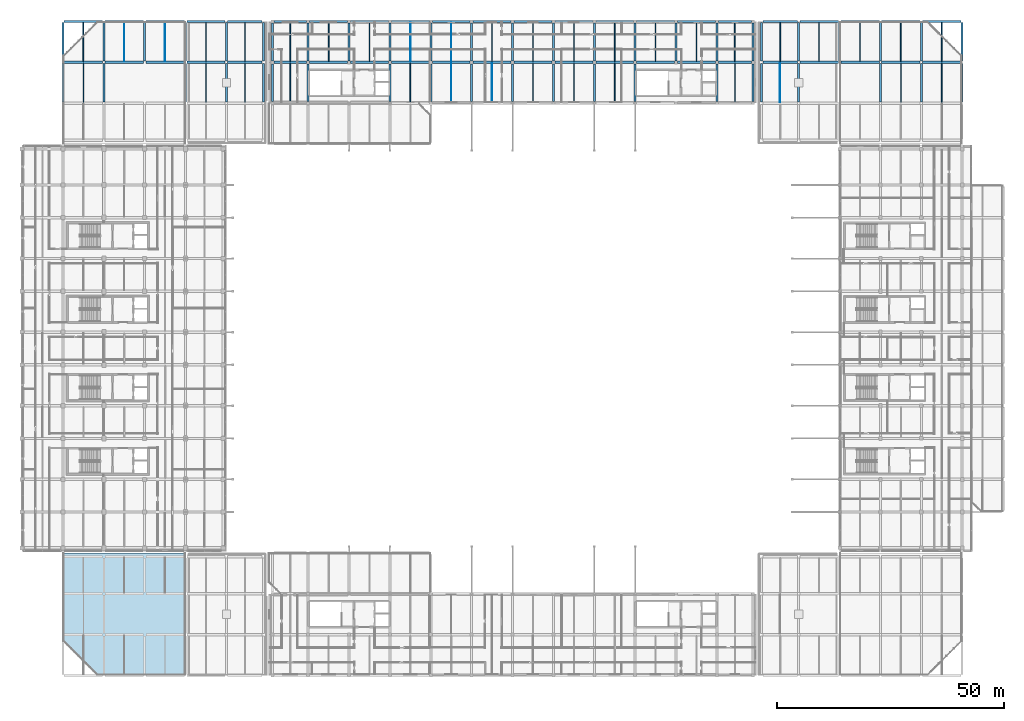
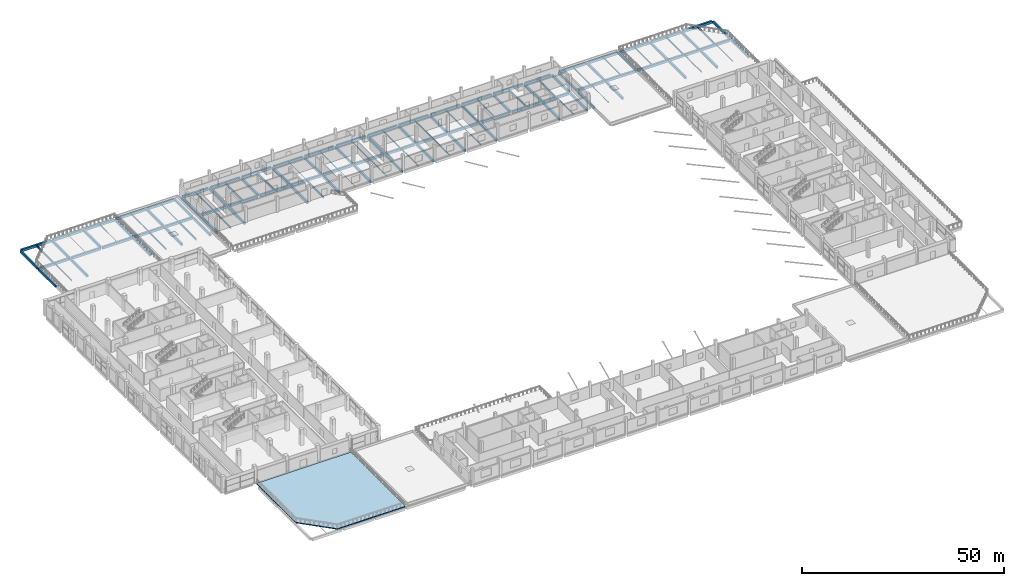
# One storey, part 35 of 82: 126 beams, 1 slab.
"""IFC4 building model written with IfcOpenShell, lengths in metres."""

from ifc_helpers import new_model, si_unit, direction, frame, origin, origin_2d, place, context, subcontext, project, spatial, polyline, rectangle, hollow_rectangle, i_section, outline, extrude, material, layer, layer_set, material_profile, profile_set, type_object, element, save


model = new_model("IFC4")

# Units and contexts
model_context = context("Model", 3, precision=1e-05, world=origin(), true_north=direction((0.0, 1.0)))
body_context = subcontext(model_context, "Body", "Model", "MODEL_VIEW")
ifc_project = project(units=[si_unit("LENGTHUNIT", "METRE"), si_unit("AREAUNIT", "SQUARE_METRE"), si_unit("VOLUMEUNIT", "CUBIC_METRE"), si_unit("PLANEANGLEUNIT", "RADIAN"), si_unit("MASSUNIT", "GRAM", prefix="KILO"), si_unit("THERMODYNAMICTEMPERATUREUNIT", "KELVIN"), si_unit("POWERUNIT", "WATT")], contexts=[model_context])

# Site, building, storey
site_placement = place(None, origin())
site = spatial("IfcSite", under=ifc_project, at=site_placement, CompositionType="ELEMENT")
building_placement = place(site_placement, origin())
building = spatial("IfcBuilding", under=site, at=building_placement, Name="Sindhuravela Promenade Stadium", CompositionType="ELEMENT")
storey_placement = place(building_placement, frame((0.0, 0.0, 14.39990234375)))
storey = spatial("IfcBuildingStorey", under=building, at=storey_placement, Name="L03", CompositionType="ELEMENT", Elevation=14.39990234375)

# Beams
ifc_material_1 = material(Name="Concrete M40", Category="concrete")
ifc_material_profile_1 = material_profile(ifc_material_1, rectangle(XDim=0.449951171875, YDim=0.699951171875, at=origin_2d()), Name="RC 450x700")
ifc_profile_set_1 = profile_set([ifc_material_profile_1], Name="Concrete M40")
beam_type_1 = type_object("IfcBeamType", Name="RC-BM-450x700", PredefinedType="BEAM", material=ifc_profile_set_1)
for number, where, z_axis, x_axis, name in (
    (1, (55.10009765625, 135.340087890625, -0.64990234375), (0.0, 1.0, 0.0), (-1.0, 0.0, 0.0), "Primary beam GB07 NORTH L03"),
    (2, (55.10009765625, 144.340087890625, -0.64990234375), (0.0, 1.0, 0.0), (-1.0, 0.0, 0.0), "Primary beam GB07 NORTH L03"),
    (3, (63.0, 135.340087890625, -0.64990234375), (0.0, 1.0, 0.0), (-1.0, 0.0, 0.0), "Primary beam GB07 NORTH L03"),
    (4, (63.0, 144.340087890625, -0.64990234375), (0.0, 1.0, 0.0), (-1.0, 0.0, 0.0), "Primary beam GB07 NORTH L03"),
    (5, (72.0, 144.340087890625, -0.64990234375), (0.0, 1.0, 0.0), (-1.0, 0.0, 0.0), "Primary beam GB07 NORTH L03"),
    (6, (81.0, 135.340087890625, -0.64990234375), (0.0, 1.0, 0.0), (-1.0, 0.0, 0.0), "Primary beam GB07 NORTH L03"),
    (7, (81.0, 144.340087890625, -0.64990234375), (0.0, 1.0, 0.0), (-1.0, 0.0, 0.0), "Primary beam GB07 NORTH L03"),
    (8, (90.0, 135.340087890625, -0.64990234375), (0.0, 1.0, 0.0), (-1.0, 0.0, 0.0), "Primary beam GB07 NORTH L03"),
    (9, (90.0, 144.340087890625, -0.64990234375), (0.0, 1.0, 0.0), (-1.0, 0.0, 0.0), "Primary beam GB07 NORTH L03"),
    (10, (99.0, 135.340087890625, -0.64990234375), (0.0, 1.0, 0.0), (-1.0, 0.0, 0.0), "Primary beam GB07 NORTH L03"),
    (11, (99.0, 144.340087890625, -0.64990234375), (0.0, 1.0, 0.0), (-1.0, 0.0, 0.0), "Primary beam GB07 NORTH L03"),
    (12, (108.0, 135.340087890625, -0.64990234375), (0.0, 1.0, 0.0), (-1.0, 0.0, 0.0), "Primary beam GB07 NORTH L03"),
    (13, (108.0, 144.340087890625, -0.64990234375), (0.0, 1.0, 0.0), (-1.0, 0.0, 0.0), "Primary beam GB07 NORTH L03"),
    (14, (117.0, 135.340087890625, -0.64990234375), (0.0, 1.0, 0.0), (-1.0, 0.0, 0.0), "Primary beam GB07 NORTH L03"),
    (15, (117.0, 144.340087890625, -0.64990234375), (0.0, 1.0, 0.0), (-1.0, 0.0, 0.0), "Primary beam GB07 NORTH L03"),
    (16, (126.0, 135.340087890625, -0.64990234375), (0.0, 1.0, 0.0), (-1.0, 0.0, 0.0), "Primary beam GB07 NORTH L03"),
    (17, (126.0, 144.340087890625, -0.64990234375), (0.0, 1.0, 0.0), (-1.0, 0.0, 0.0), "Primary beam GB07 NORTH L03"),
    (18, (135.0, 135.340087890625, -0.64990234375), (0.0, 1.0, 0.0), (-1.0, 0.0, 0.0), "Primary beam GB07 NORTH L03"),
    (19, (135.0, 144.340087890625, -0.64990234375), (0.0, 1.0, 0.0), (-1.0, 0.0, 0.0), "Primary beam GB07 NORTH L03"),
    (20, (144.0, 144.340087890625, -0.64990234375), (0.0, 1.0, 0.0), (-1.0, 0.0, 0.0), "Primary beam GB07 NORTH L03"),
    (21, (153.0, 135.340087890625, -0.64990234375), (0.0, 1.0, 0.0), (-1.0, 0.0, 0.0), "Primary beam GB07 NORTH L03"),
    (22, (153.0, 144.340087890625, -0.64990234375), (0.0, 1.0, 0.0), (-1.0, 0.0, 0.0), "Primary beam GB07 NORTH L03"),
    (23, (160.89990234375, 135.340087890625, -0.64990234375), (0.0, 1.0, 0.0), (-1.0, 0.0, 0.0), "Primary beam GB07 NORTH L03"),
    (24, (160.89990234375, 144.340087890625, -0.64990234375), (0.0, 1.0, 0.0), (-1.0, 0.0, 0.0), "Primary beam GB07 NORTH L03"),
):
    element("IfcBeam", number, at=place(storey_placement, frame(where, z_axis=z_axis, x_axis=x_axis)), inside=storey, type_object=beam_type_1, Name=name, PredefinedType="BEAM", context=body_context, shape_type="SweptSolid", body=[
        extrude(rectangle(XDim=0.449951171875, YDim=0.699951171875, at=origin_2d()), origin(), (0.0, 0.0, 1.0), 8.31982421875),
    ])
for number, where, z_axis, x_axis, name in (
    (25, (9.0, 135.264892578125, -0.659912109375), (0.0, 1.0, 0.0), (-1.0, 0.0, 0.0), "Primary beam GB07 Pavilion NW L03"),
    (26, (9.0, 144.264892578125, -0.659912109375), (0.0, 1.0, 0.0), (-1.0, 0.0, 0.0), "Primary beam GB07 Pavilion NW L03"),
    (27, (18.0, 135.264892578125, -0.659912109375), (0.0, 1.0, 0.0), (-1.0, 0.0, 0.0), "Primary beam GB07 Pavilion NW L03"),
    (28, (18.0, 144.264892578125, -0.659912109375), (0.0, 1.0, 0.0), (-1.0, 0.0, 0.0), "Primary beam GB07 Pavilion NW L03"),
    (29, (27.0, 144.264892578125, -0.659912109375), (0.0, 1.0, 0.0), (-1.0, 0.0, 0.0), "Primary beam GB07 Pavilion NW L03"),
    (30, (36.0, 135.264892578125, -0.659912109375), (0.0, 1.0, 0.0), (-1.0, 0.0, 0.0), "Primary beam GB07 Pavilion NW L03"),
    (31, (36.0, 144.264892578125, -0.659912109375), (0.0, 1.0, 0.0), (-1.0, 0.0, 0.0), "Primary beam GB07 Pavilion NW L03"),
    (32, (45.0, 135.264892578125, -0.594970703125), (0.0, 1.0, 0.0), (-1.0, 0.0, 0.0), "Primary beam GB07 Pavilion NW L03"),
    (33, (45.0, 144.264892578125, -0.594970703125), (0.0, 1.0, 0.0), (-1.0, 0.0, 0.0), "Primary beam GB07 Pavilion NW L03"),
    (34, (53.14990234375, 135.264892578125, -0.594970703125), (0.0, 1.0, 0.0), (-1.0, 0.0, 0.0), "Primary beam GB07 Pavilion NW L03"),
    (35, (53.14990234375, 144.264892578125, -0.594970703125), (0.0, 1.0, 0.0), (-1.0, 0.0, 0.0), "Primary beam GB07 Pavilion NW L03"),
    (36, (162.85009765625, 135.264892578125, -0.594970703125), (0.0, 1.0, 0.0), (-1.0, 0.0, 0.0), "Primary beam GB07 Pavilion NE L03"),
    (37, (162.85009765625, 144.264892578125, -0.594970703125), (0.0, 1.0, 0.0), (-1.0, 0.0, 0.0), "Primary beam GB07 Pavilion NE L03"),
    (38, (171.0, 135.264892578125, -0.594970703125), (0.0, 1.0, 0.0), (-1.0, 0.0, 0.0), "Primary beam GB07 Pavilion NE L03"),
    (39, (171.0, 144.264892578125, -0.594970703125), (0.0, 1.0, 0.0), (-1.0, 0.0, 0.0), "Primary beam GB07 Pavilion NE L03"),
    (40, (180.0, 144.264892578125, -0.659912109375), (0.0, 1.0, 0.0), (-1.0, 0.0, 0.0), "Primary beam GB07 Pavilion NE L03"),
    (41, (189.0, 135.264892578125, -0.659912109375), (0.0, 1.0, 0.0), (-1.0, 0.0, 0.0), "Primary beam GB07 Pavilion NE L03"),
    (42, (189.0, 144.264892578125, -0.659912109375), (0.0, 1.0, 0.0), (-1.0, 0.0, 0.0), "Primary beam GB07 Pavilion NE L03"),
    (43, (198.0, 135.264892578125, -0.659912109375), (0.0, 1.0, 0.0), (-1.0, 0.0, 0.0), "Primary beam GB07 Pavilion NE L03"),
    (44, (198.0, 144.264892578125, -0.659912109375), (0.0, 1.0, 0.0), (-1.0, 0.0, 0.0), "Primary beam GB07 Pavilion NE L03"),
    (45, (207.0, 135.264892578125, -0.659912109375), (0.0, 1.0, 0.0), (-1.0, 0.0, 0.0), "Primary beam GB07 Pavilion NE L03"),
    (46, (207.0, 144.264892578125, -0.659912109375), (0.0, 1.0, 0.0), (-1.0, 0.0, 0.0), "Primary beam GB07 Pavilion NE L03"),
):
    element("IfcBeam", number, at=place(storey_placement, frame(where, z_axis=z_axis, x_axis=x_axis)), inside=storey, type_object=beam_type_1, Name=name, PredefinedType="BEAM", context=body_context, shape_type="SweptSolid", body=[
        extrude(rectangle(XDim=0.449951171875, YDim=0.699951171875, at=origin_2d()), origin(), (0.0, 0.0, 1.0), 8.47021484375),
    ])
ifc_material_profile_2 = material_profile(ifc_material_1, rectangle(XDim=0.5, YDim=0.75, at=origin_2d()), Name="RC 500x750")
ifc_profile_set_2 = profile_set([ifc_material_profile_2], Name="Concrete M40")
beam_type_2 = type_object("IfcBeamType", Name="RC-BM-500x750", PredefinedType="BEAM", material=ifc_profile_set_2)
beam_1_placement = place(storey_placement, frame((55.43994140625, 144.0, -0.6748046875), z_axis=(1.0, 0.0, 0.0), x_axis=(0.0, 1.0, 0.0)))
element("IfcBeam", 47, at=beam_1_placement, inside=storey, type_object=beam_type_2, Name="Primary girder GB06 NORTH L03", PredefinedType="BEAM", context=body_context, shape_type="SweptSolid", body=[
    extrude(rectangle(XDim=0.5, YDim=0.75, at=origin_2d()), origin(), (0.0, 0.0, 1.0), 7.219970703125),
])
for number, where, z_axis, x_axis, name in (
    (48, (63.340087890625, 144.0, -0.6748046875), (1.0, 0.0, 0.0), (0.0, 1.0, 0.0), "Primary girder GB06 NORTH L03"),
    (49, (72.340087890625, 144.0, -0.6748046875), (1.0, 0.0, 0.0), (0.0, 1.0, 0.0), "Primary girder GB06 NORTH L03"),
    (50, (81.340087890625, 144.0, -0.6748046875), (1.0, 0.0, 0.0), (0.0, 1.0, 0.0), "Primary girder GB06 NORTH L03"),
    (51, (90.340087890625, 144.0, -0.6748046875), (1.0, 0.0, 0.0), (0.0, 1.0, 0.0), "Primary girder GB06 NORTH L03"),
    (52, (99.340087890625, 144.0, -0.6748046875), (1.0, 0.0, 0.0), (0.0, 1.0, 0.0), "Primary girder GB06 NORTH L03"),
    (53, (108.340087890625, 144.0, -0.6748046875), (1.0, 0.0, 0.0), (0.0, 1.0, 0.0), "Primary girder GB06 NORTH L03"),
    (54, (117.340087890625, 144.0, -0.6748046875), (1.0, 0.0, 0.0), (0.0, 1.0, 0.0), "Primary girder GB06 NORTH L03"),
    (55, (126.340087890625, 144.0, -0.6748046875), (1.0, 0.0, 0.0), (0.0, 1.0, 0.0), "Primary girder GB06 NORTH L03"),
    (56, (135.340087890625, 144.0, -0.6748046875), (1.0, 0.0, 0.0), (0.0, 1.0, 0.0), "Primary girder GB06 NORTH L03"),
    (57, (144.340087890625, 144.0, -0.6748046875), (1.0, 0.0, 0.0), (0.0, 1.0, 0.0), "Primary girder GB06 NORTH L03"),
):
    element("IfcBeam", number, at=place(storey_placement, frame(where, z_axis=z_axis, x_axis=x_axis)), inside=storey, type_object=beam_type_2, Name=name, PredefinedType="BEAM", context=body_context, shape_type="SweptSolid", body=[
        extrude(rectangle(XDim=0.5, YDim=0.75, at=origin_2d()), origin(), (0.0, 0.0, 1.0), 8.31982421875),
    ])
for number, where, z_axis, x_axis, name in (
    (58, (153.340087890625, 144.0, -0.6748046875), (1.0, 0.0, 0.0), (0.0, 1.0, 0.0), "Primary girder GB06 NORTH L03"),
    (59, (55.43994140625, 153.0, -0.6748046875), (1.0, 0.0, 0.0), (0.0, 1.0, 0.0), "Primary girder GB06 NORTH L03"),
):
    element("IfcBeam", number, at=place(storey_placement, frame(where, z_axis=z_axis, x_axis=x_axis)), inside=storey, type_object=beam_type_2, Name=name, PredefinedType="BEAM", context=body_context, shape_type="SweptSolid", body=[
        extrude(rectangle(XDim=0.5, YDim=0.75, at=origin_2d()), origin(), (0.0, 0.0, 1.0), 7.219970703125),
    ])
for number, where, z_axis, x_axis, name in (
    (60, (63.340087890625, 153.0, -0.6748046875), (1.0, 0.0, 0.0), (0.0, 1.0, 0.0), "Primary girder GB06 NORTH L03"),
    (61, (72.340087890625, 153.0, -0.6748046875), (1.0, 0.0, 0.0), (0.0, 1.0, 0.0), "Primary girder GB06 NORTH L03"),
    (62, (81.340087890625, 153.0, -0.6748046875), (1.0, 0.0, 0.0), (0.0, 1.0, 0.0), "Primary girder GB06 NORTH L03"),
    (63, (90.340087890625, 153.0, -0.6748046875), (1.0, 0.0, 0.0), (0.0, 1.0, 0.0), "Primary girder GB06 NORTH L03"),
    (64, (99.340087890625, 153.0, -0.6748046875), (1.0, 0.0, 0.0), (0.0, 1.0, 0.0), "Primary girder GB06 NORTH L03"),
    (65, (108.340087890625, 153.0, -0.6748046875), (1.0, 0.0, 0.0), (0.0, 1.0, 0.0), "Primary girder GB06 NORTH L03"),
    (66, (117.340087890625, 153.0, -0.6748046875), (1.0, 0.0, 0.0), (0.0, 1.0, 0.0), "Primary girder GB06 NORTH L03"),
    (67, (126.340087890625, 153.0, -0.6748046875), (1.0, 0.0, 0.0), (0.0, 1.0, 0.0), "Primary girder GB06 NORTH L03"),
    (68, (135.340087890625, 153.0, -0.6748046875), (1.0, 0.0, 0.0), (0.0, 1.0, 0.0), "Primary girder GB06 NORTH L03"),
    (69, (144.340087890625, 153.0, -0.6748046875), (1.0, 0.0, 0.0), (0.0, 1.0, 0.0), "Primary girder GB06 NORTH L03"),
):
    element("IfcBeam", number, at=place(storey_placement, frame(where, z_axis=z_axis, x_axis=x_axis)), inside=storey, type_object=beam_type_2, Name=name, PredefinedType="BEAM", context=body_context, shape_type="SweptSolid", body=[
        extrude(rectangle(XDim=0.5, YDim=0.75, at=origin_2d()), origin(), (0.0, 0.0, 1.0), 8.31982421875),
    ])
beam_2_placement = place(storey_placement, frame((153.340087890625, 153.0, -0.6748046875), z_axis=(1.0, 0.0, 0.0), x_axis=(0.0, 1.0, 0.0)))
element("IfcBeam", 70, at=beam_2_placement, inside=storey, type_object=beam_type_2, Name="Primary girder GB06 NORTH L03", PredefinedType="BEAM", context=body_context, shape_type="SweptSolid", body=[
    extrude(rectangle(XDim=0.5, YDim=0.75, at=origin_2d()), origin(), (0.0, 0.0, 1.0), 7.219970703125),
])
for number, where, z_axis, x_axis, name in (
    (71, (9.264892578125, 144.0, -0.684814453125), (1.0, 0.0, 0.0), (0.0, 1.0, 0.0), "Primary girder GB06 Pavilion NW L03"),
    (72, (18.264892578125, 144.0, -0.684814453125), (1.0, 0.0, 0.0), (0.0, 1.0, 0.0), "Primary girder GB06 Pavilion NW L03"),
    (73, (27.264892578125, 144.0, -0.684814453125), (1.0, 0.0, 0.0), (0.0, 1.0, 0.0), "Primary girder GB06 Pavilion NW L03"),
    (74, (36.264892578125, 144.0, -0.619873046875), (1.0, 0.0, 0.0), (0.0, 1.0, 0.0), "Primary girder GB06 Pavilion NW L03"),
):
    element("IfcBeam", number, at=place(storey_placement, frame(where, z_axis=z_axis, x_axis=x_axis)), inside=storey, type_object=beam_type_2, Name=name, PredefinedType="BEAM", context=body_context, shape_type="SweptSolid", body=[
        extrude(rectangle(XDim=0.5, YDim=0.75, at=origin_2d()), origin(), (0.0, 0.0, 1.0), 8.47021484375),
    ])
beam_3_placement = place(storey_placement, frame((45.264892578125, 144.0, -0.619873046875), z_axis=(1.0, 0.0, 0.0), x_axis=(0.0, 1.0, 0.0)))
element("IfcBeam", 75, at=beam_3_placement, inside=storey, type_object=beam_type_2, Name="Primary girder GB06 Pavilion NW L03", PredefinedType="BEAM", context=body_context, shape_type="SweptSolid", body=[
    extrude(rectangle(XDim=0.5, YDim=0.75, at=origin_2d()), origin(), (0.0, 0.0, 1.0), 7.6201171875),
])
for number, where, z_axis, x_axis, name in (
    (76, (9.264892578125, 153.0, -0.684814453125), (1.0, 0.0, 0.0), (0.0, 1.0, 0.0), "Primary girder GB06 Pavilion NW L03"),
    (77, (18.264892578125, 153.0, -0.684814453125), (1.0, 0.0, 0.0), (0.0, 1.0, 0.0), "Primary girder GB06 Pavilion NW L03"),
    (78, (27.264892578125, 153.0, -0.684814453125), (1.0, 0.0, 0.0), (0.0, 1.0, 0.0), "Primary girder GB06 Pavilion NW L03"),
    (79, (36.264892578125, 153.0, -0.619873046875), (1.0, 0.0, 0.0), (0.0, 1.0, 0.0), "Primary girder GB06 Pavilion NW L03"),
):
    element("IfcBeam", number, at=place(storey_placement, frame(where, z_axis=z_axis, x_axis=x_axis)), inside=storey, type_object=beam_type_2, Name=name, PredefinedType="BEAM", context=body_context, shape_type="SweptSolid", body=[
        extrude(rectangle(XDim=0.5, YDim=0.75, at=origin_2d()), origin(), (0.0, 0.0, 1.0), 8.47021484375),
    ])
for number, where, z_axis, x_axis, name in (
    (80, (45.264892578125, 153.0, -0.619873046875), (1.0, 0.0, 0.0), (0.0, 1.0, 0.0), "Primary girder GB06 Pavilion NW L03"),
    (81, (163.114990234375, 144.0, -0.619873046875), (1.0, 0.0, 0.0), (0.0, 1.0, 0.0), "Primary girder GB06 Pavilion NE L03"),
):
    element("IfcBeam", number, at=place(storey_placement, frame(where, z_axis=z_axis, x_axis=x_axis)), inside=storey, type_object=beam_type_2, Name=name, PredefinedType="BEAM", context=body_context, shape_type="SweptSolid", body=[
        extrude(rectangle(XDim=0.5, YDim=0.75, at=origin_2d()), origin(), (0.0, 0.0, 1.0), 7.6201171875),
    ])
for number, where, z_axis, x_axis, name in (
    (82, (171.264892578125, 144.0, -0.619873046875), (1.0, 0.0, 0.0), (0.0, 1.0, 0.0), "Primary girder GB06 Pavilion NE L03"),
    (83, (180.264892578125, 144.0, -0.684814453125), (1.0, 0.0, 0.0), (0.0, 1.0, 0.0), "Primary girder GB06 Pavilion NE L03"),
    (84, (189.264892578125, 144.0, -0.684814453125), (1.0, 0.0, 0.0), (0.0, 1.0, 0.0), "Primary girder GB06 Pavilion NE L03"),
    (85, (198.264892578125, 144.0, -0.684814453125), (1.0, 0.0, 0.0), (0.0, 1.0, 0.0), "Primary girder GB06 Pavilion NE L03"),
):
    element("IfcBeam", number, at=place(storey_placement, frame(where, z_axis=z_axis, x_axis=x_axis)), inside=storey, type_object=beam_type_2, Name=name, PredefinedType="BEAM", context=body_context, shape_type="SweptSolid", body=[
        extrude(rectangle(XDim=0.5, YDim=0.75, at=origin_2d()), origin(), (0.0, 0.0, 1.0), 8.47021484375),
    ])
beam_4_placement = place(storey_placement, frame((163.114990234375, 153.0, -0.619873046875), z_axis=(1.0, 0.0, 0.0), x_axis=(0.0, 1.0, 0.0)))
element("IfcBeam", 86, at=beam_4_placement, inside=storey, type_object=beam_type_2, Name="Primary girder GB06 Pavilion NE L03", PredefinedType="BEAM", context=body_context, shape_type="SweptSolid", body=[
    extrude(rectangle(XDim=0.5, YDim=0.75, at=origin_2d()), origin(), (0.0, 0.0, 1.0), 7.6201171875),
])
for number, where, z_axis, x_axis, name in (
    (87, (171.264892578125, 153.0, -0.619873046875), (1.0, 0.0, 0.0), (0.0, 1.0, 0.0), "Primary girder GB06 Pavilion NE L03"),
    (88, (180.264892578125, 153.0, -0.684814453125), (1.0, 0.0, 0.0), (0.0, 1.0, 0.0), "Primary girder GB06 Pavilion NE L03"),
    (89, (189.264892578125, 153.0, -0.684814453125), (1.0, 0.0, 0.0), (0.0, 1.0, 0.0), "Primary girder GB06 Pavilion NE L03"),
    (90, (198.264892578125, 153.0, -0.684814453125), (1.0, 0.0, 0.0), (0.0, 1.0, 0.0), "Primary girder GB06 Pavilion NE L03"),
):
    element("IfcBeam", number, at=place(storey_placement, frame(where, z_axis=z_axis, x_axis=x_axis)), inside=storey, type_object=beam_type_2, Name=name, PredefinedType="BEAM", context=body_context, shape_type="SweptSolid", body=[
        extrude(rectangle(XDim=0.5, YDim=0.75, at=origin_2d()), origin(), (0.0, 0.0, 1.0), 8.47021484375),
    ])
ifc_material_2 = material(Name="Steel E350 (IS 2062 E350BR)", Category="steel")
ifc_material_profile_3 = material_profile(ifc_material_2, hollow_rectangle(XDim=0.10009765625, YDim=0.199951171875, WallThickness=0.008056640625, at=origin_2d()), Name="RHS 200x100x8")
ifc_profile_set_3 = profile_set([ifc_material_profile_3], Name="Steel E350 (IS 2062 E350BR)")
beam_type_3 = type_object("IfcBeamType", Name="ST-BM-LNT200", PredefinedType="LINTEL", material=ifc_profile_set_3)
for number, where, z_axis, x_axis, name in (
    (91, (94.5, 135.239990234375, -0.39990234375), (0.0, 1.0, 0.0), (-1.0, 0.0, 0.0), "Secondary floor joist LN01 NORTH L03"),
    (92, (85.5, 144.239990234375, -0.39990234375), (0.0, 1.0, 0.0), (-1.0, 0.0, 0.0), "Secondary floor joist LN01 NORTH L03"),
    (93, (22.5, 144.239990234375, -0.409912109375), (0.0, 1.0, 0.0), (-1.0, 0.0, 0.0), "Secondary floor joist LN01 Pavilion NW L03"),
):
    element("IfcBeam", number, at=place(storey_placement, frame(where, z_axis=z_axis, x_axis=x_axis)), inside=storey, type_object=beam_type_3, Name=name, PredefinedType="LINTEL", context=body_context, shape_type="SweptSolid", body=[
        extrude(hollow_rectangle(XDim=0.10009765625, YDim=0.199951171875, WallThickness=0.008056640625, at=origin_2d()), origin(), (0.0, 0.0, 1.0), 8.52001953125),
    ])
ifc_material_profile_4 = material_profile(ifc_material_2, i_section(OverallWidth=0.10009765625, OverallDepth=0.199951171875, WebThickness=0.005615234375, FlangeThickness=0.0107421875, FilletRadius=0.010986328125, at=origin_2d()), Name="ISMB 200")
ifc_profile_set_4 = profile_set([ifc_material_profile_4], Name="Steel E350 (IS 2062 E350BR)")
beam_type_4 = type_object("IfcBeamType", Name="ST-BM-MB200", PredefinedType="JOIST", material=ifc_profile_set_4)
for number, where, z_axis, x_axis, name in (
    (94, (103.5, 135.239990234375, -0.39990234375), (0.0, 1.0, 0.0), (-1.0, 0.0, 0.0), "Secondary floor joist SB01 NORTH L03"),
    (95, (94.5, 144.239990234375, -0.39990234375), (0.0, 1.0, 0.0), (-1.0, 0.0, 0.0), "Secondary floor joist SB01 NORTH L03"),
    (96, (31.5, 144.239990234375, -0.409912109375), (0.0, 1.0, 0.0), (-1.0, 0.0, 0.0), "Secondary floor joist SB01 Pavilion NW L03"),
    (97, (166.925048828125, 135.239990234375, -0.344970703125), (0.0, 1.0, 0.0), (-1.0, 0.0, 0.0), "Secondary floor joist SB01 Pavilion NE L03"),
):
    element("IfcBeam", number, at=place(storey_placement, frame(where, z_axis=z_axis, x_axis=x_axis)), inside=storey, type_object=beam_type_4, Name=name, PredefinedType="JOIST", context=body_context, shape_type="SweptSolid", body=[
        extrude(i_section(OverallWidth=0.10009765625, OverallDepth=0.199951171875, WebThickness=0.005615234375, FlangeThickness=0.0107421875, FilletRadius=0.010986328125, at=origin_2d()), origin(), (0.0, 0.0, 1.0), 8.52001953125),
    ])
ifc_material_profile_5 = material_profile(ifc_material_2, i_section(OverallWidth=0.125, OverallDepth=0.25, WebThickness=0.0068359375, FlangeThickness=0.012451171875, FilletRadius=0.012939453125, at=origin_2d()), Name="ISMB 250")
ifc_profile_set_5 = profile_set([ifc_material_profile_5], Name="Steel E350 (IS 2062 E350BR)")
beam_type_5 = type_object("IfcBeamType", Name="ST-BM-MB250", PredefinedType="JOIST", material=ifc_profile_set_5)
for number, where, z_axis, x_axis, name in (
    (98, (112.5, 135.239990234375, -0.4248046875), (0.0, 1.0, 0.0), (-1.0, 0.0, 0.0), "Secondary floor joist SB02 NORTH L03"),
    (99, (103.5, 144.239990234375, -0.4248046875), (0.0, 1.0, 0.0), (-1.0, 0.0, 0.0), "Secondary floor joist SB02 NORTH L03"),
    (100, (40.5, 144.239990234375, -0.369873046875), (0.0, 1.0, 0.0), (-1.0, 0.0, 0.0), "Secondary floor joist SB02 Pavilion NW L03"),
    (101, (193.5, 135.239990234375, -0.434814453125), (0.0, 1.0, 0.0), (-1.0, 0.0, 0.0), "Secondary floor joist SB02 Pavilion NE L03"),
):
    element("IfcBeam", number, at=place(storey_placement, frame(where, z_axis=z_axis, x_axis=x_axis)), inside=storey, type_object=beam_type_5, Name=name, PredefinedType="JOIST", context=body_context, shape_type="SweptSolid", body=[
        extrude(i_section(OverallWidth=0.125, OverallDepth=0.25, WebThickness=0.0068359375, FlangeThickness=0.012451171875, FilletRadius=0.012939453125, at=origin_2d()), origin(), (0.0, 0.0, 1.0), 8.52001953125),
    ])
ifc_material_profile_6 = material_profile(ifc_material_2, i_section(OverallWidth=0.139892578125, OverallDepth=0.300048828125, WebThickness=0.0078125, FlangeThickness=0.01318359375, FilletRadius=0.013916015625, at=origin_2d()), Name="ISMB 300")
ifc_profile_set_6 = profile_set([ifc_material_profile_6], Name="Steel E350 (IS 2062 E350BR)")
beam_type_6 = type_object("IfcBeamType", Name="ST-BM-MB300", PredefinedType="JOIST", material=ifc_profile_set_6)
for number, where, z_axis, x_axis, name in (
    (102, (121.5, 135.239990234375, -0.449951171875), (0.0, 1.0, 0.0), (-1.0, 0.0, 0.0), "Secondary floor joist SB03 NORTH L03"),
    (103, (112.5, 144.239990234375, -0.449951171875), (0.0, 1.0, 0.0), (-1.0, 0.0, 0.0), "Secondary floor joist SB03 NORTH L03"),
    (104, (49.074951171875, 144.239990234375, -0.39501953125), (0.0, 1.0, 0.0), (-1.0, 0.0, 0.0), "Secondary floor joist SB03 Pavilion NW L03"),
    (105, (202.5, 135.239990234375, -0.4599609375), (0.0, 1.0, 0.0), (-1.0, 0.0, 0.0), "Secondary floor joist SB03 Pavilion NE L03"),
):
    element("IfcBeam", number, at=place(storey_placement, frame(where, z_axis=z_axis, x_axis=x_axis)), inside=storey, type_object=beam_type_6, Name=name, PredefinedType="JOIST", context=body_context, shape_type="SweptSolid", body=[
        extrude(i_section(OverallWidth=0.139892578125, OverallDepth=0.300048828125, WebThickness=0.0078125, FlangeThickness=0.01318359375, FilletRadius=0.013916015625, at=origin_2d()), origin(), (0.0, 0.0, 1.0), 8.52001953125),
    ])
ifc_material_profile_7 = material_profile(ifc_material_2, i_section(OverallWidth=0.139892578125, OverallDepth=0.35009765625, WebThickness=0.008056640625, FlangeThickness=0.01416015625, FilletRadius=0.013916015625, at=origin_2d()), Name="ISMB 350")
ifc_profile_set_7 = profile_set([ifc_material_profile_7], Name="Steel E350 (IS 2062 E350BR)")
beam_type_7 = type_object("IfcBeamType", Name="ST-BM-MB350", PredefinedType="JOIST", material=ifc_profile_set_7)
for number, where, z_axis, x_axis, name in (
    (106, (130.5, 135.239990234375, -0.474853515625), (0.0, 1.0, 0.0), (-1.0, 0.0, 0.0), "Secondary floor joist SB04 NORTH L03"),
    (107, (121.5, 144.239990234375, -0.474853515625), (0.0, 1.0, 0.0), (-1.0, 0.0, 0.0), "Secondary floor joist SB04 NORTH L03"),
    (108, (166.925048828125, 144.239990234375, -0.419921875), (0.0, 1.0, 0.0), (-1.0, 0.0, 0.0), "Secondary floor joist SB04 Pavilion NE L03"),
):
    element("IfcBeam", number, at=place(storey_placement, frame(where, z_axis=z_axis, x_axis=x_axis)), inside=storey, type_object=beam_type_7, Name=name, PredefinedType="JOIST", context=body_context, shape_type="SweptSolid", body=[
        extrude(i_section(OverallWidth=0.139892578125, OverallDepth=0.35009765625, WebThickness=0.008056640625, FlangeThickness=0.01416015625, FilletRadius=0.013916015625, at=origin_2d()), origin(), (0.0, 0.0, 1.0), 8.52001953125),
    ])
ifc_material_profile_8 = material_profile(ifc_material_2, i_section(OverallWidth=0.139892578125, OverallDepth=0.39990234375, WebThickness=0.0087890625, FlangeThickness=0.01611328125, FilletRadius=0.013916015625, at=origin_2d()), Name="ISMB 400")
ifc_profile_set_8 = profile_set([ifc_material_profile_8], Name="Steel E350 (IS 2062 E350BR)")
beam_type_8 = type_object("IfcBeamType", Name="ST-BM-MB400", PredefinedType="BEAM", material=ifc_profile_set_8)
for number, where, z_axis, x_axis, name in (
    (109, (156.949951171875, 135.239990234375, -0.5), (0.0, 1.0, 0.0), (-1.0, 0.0, 0.0), "Secondary floor joist SB05 NORTH L03"),
    (110, (130.5, 144.239990234375, -0.5), (0.0, 1.0, 0.0), (-1.0, 0.0, 0.0), "Secondary floor joist SB05 NORTH L03"),
    (111, (13.5, 135.239990234375, -0.510009765625), (0.0, 1.0, 0.0), (-1.0, 0.0, 0.0), "Secondary floor joist SB05 Pavilion NW L03"),
    (112, (175.5, 144.239990234375, -0.44482421875), (0.0, 1.0, 0.0), (-1.0, 0.0, 0.0), "Secondary floor joist SB05 Pavilion NE L03"),
):
    element("IfcBeam", number, at=place(storey_placement, frame(where, z_axis=z_axis, x_axis=x_axis)), inside=storey, type_object=beam_type_8, Name=name, PredefinedType="BEAM", context=body_context, shape_type="SweptSolid", body=[
        extrude(i_section(OverallWidth=0.139892578125, OverallDepth=0.39990234375, WebThickness=0.0087890625, FlangeThickness=0.01611328125, FilletRadius=0.013916015625, at=origin_2d()), origin(), (0.0, 0.0, 1.0), 8.52001953125),
    ])
ifc_material_profile_9 = material_profile(ifc_material_2, i_section(OverallWidth=0.14990234375, OverallDepth=0.449951171875, WebThickness=0.009521484375, FlangeThickness=0.017333984375, FilletRadius=0.014892578125, at=origin_2d()), Name="ISMB 450")
ifc_profile_set_9 = profile_set([ifc_material_profile_9], Name="Steel E350 (IS 2062 E350BR)")
beam_type_9 = type_object("IfcBeamType", Name="ST-BM-MB450", PredefinedType="BEAM", material=ifc_profile_set_9)
for number, where, z_axis, x_axis, name in (
    (113, (59.050048828125, 144.239990234375, -0.52490234375), (0.0, 1.0, 0.0), (-1.0, 0.0, 0.0), "Secondary floor joist SB06 NORTH L03"),
    (114, (139.5, 144.239990234375, -0.52490234375), (0.0, 1.0, 0.0), (-1.0, 0.0, 0.0), "Secondary floor joist SB06 NORTH L03"),
    (115, (40.5, 135.239990234375, -0.469970703125), (0.0, 1.0, 0.0), (-1.0, 0.0, 0.0), "Secondary floor joist SB06 Pavilion NW L03"),
    (116, (184.5, 144.239990234375, -0.534912109375), (0.0, 1.0, 0.0), (-1.0, 0.0, 0.0), "Secondary floor joist SB06 Pavilion NE L03"),
):
    element("IfcBeam", number, at=place(storey_placement, frame(where, z_axis=z_axis, x_axis=x_axis)), inside=storey, type_object=beam_type_9, Name=name, PredefinedType="BEAM", context=body_context, shape_type="SweptSolid", body=[
        extrude(i_section(OverallWidth=0.14990234375, OverallDepth=0.449951171875, WebThickness=0.009521484375, FlangeThickness=0.017333984375, FilletRadius=0.014892578125, at=origin_2d()), origin(), (0.0, 0.0, 1.0), 8.52001953125),
    ])
ifc_material_profile_10 = material_profile(ifc_material_2, i_section(OverallWidth=0.18994140625, OverallDepth=0.550048828125, WebThickness=0.01123046875, FlangeThickness=0.019287109375, FilletRadius=0.01806640625, at=origin_2d()), Name="ISMB 550")
ifc_profile_set_10 = profile_set([ifc_material_profile_10], Name="Steel E350 (IS 2062 E350BR)")
beam_type_10 = type_object("IfcBeamType", Name="ST-BM-MB550", PredefinedType="SPANDREL", material=ifc_profile_set_10)
for number, where, z_axis, x_axis, name in (
    (117, (59.050048828125, 135.239990234375, -0.574951171875), (0.0, 1.0, 0.0), (-1.0, 0.0, 0.0), "Secondary floor joist SB08 NORTH L03"),
    (118, (67.5, 144.239990234375, -0.574951171875), (0.0, 1.0, 0.0), (-1.0, 0.0, 0.0), "Secondary floor joist SB08 NORTH L03"),
    (119, (148.5, 144.239990234375, -0.574951171875), (0.0, 1.0, 0.0), (-1.0, 0.0, 0.0), "Secondary floor joist SB08 NORTH L03"),
    (120, (49.074951171875, 135.239990234375, -0.52001953125), (0.0, 1.0, 0.0), (-1.0, 0.0, 0.0), "Secondary floor joist SB08 Pavilion NW L03"),
    (121, (193.5, 144.239990234375, -0.5849609375), (0.0, 1.0, 0.0), (-1.0, 0.0, 0.0), "Secondary floor joist SB08 Pavilion NE L03"),
):
    element("IfcBeam", number, at=place(storey_placement, frame(where, z_axis=z_axis, x_axis=x_axis)), inside=storey, type_object=beam_type_10, Name=name, PredefinedType="SPANDREL", context=body_context, shape_type="SweptSolid", body=[
        extrude(i_section(OverallWidth=0.18994140625, OverallDepth=0.550048828125, WebThickness=0.01123046875, FlangeThickness=0.019287109375, FilletRadius=0.01806640625, at=origin_2d()), origin(), (0.0, 0.0, 1.0), 8.52001953125),
    ])
ifc_material_profile_11 = material_profile(ifc_material_2, i_section(OverallWidth=0.2099609375, OverallDepth=0.60009765625, WebThickness=0.011962890625, FlangeThickness=0.020751953125, FilletRadius=0.02001953125, at=origin_2d()), Name="ISMB 600")
ifc_profile_set_11 = profile_set([ifc_material_profile_11], Name="Steel E350 (IS 2062 E350BR)")
beam_type_11 = type_object("IfcBeamType", Name="ST-BM-MB600", PredefinedType="BEAM", material=ifc_profile_set_11)
for number, where, z_axis, x_axis, name in (
    (122, (85.5, 135.239990234375, -0.599853515625), (0.0, 1.0, 0.0), (-1.0, 0.0, 0.0), "Secondary floor joist SB09 NORTH L03"),
    (123, (76.5, 144.239990234375, -0.599853515625), (0.0, 1.0, 0.0), (-1.0, 0.0, 0.0), "Secondary floor joist SB09 NORTH L03"),
    (124, (156.949951171875, 144.239990234375, -0.599853515625), (0.0, 1.0, 0.0), (-1.0, 0.0, 0.0), "Secondary floor joist SB09 NORTH L03"),
    (125, (13.5, 144.239990234375, -0.60986328125), (0.0, 1.0, 0.0), (-1.0, 0.0, 0.0), "Secondary floor joist SB09 Pavilion NW L03"),
    (126, (202.5, 144.239990234375, -0.60986328125), (0.0, 1.0, 0.0), (-1.0, 0.0, 0.0), "Secondary floor joist SB09 Pavilion NE L03"),
):
    element("IfcBeam", number, at=place(storey_placement, frame(where, z_axis=z_axis, x_axis=x_axis)), inside=storey, type_object=beam_type_11, Name=name, PredefinedType="BEAM", context=body_context, shape_type="SweptSolid", body=[
        extrude(i_section(OverallWidth=0.2099609375, OverallDepth=0.60009765625, WebThickness=0.011962890625, FlangeThickness=0.020751953125, FilletRadius=0.02001953125, at=origin_2d()), origin(), (0.0, 0.0, 1.0), 8.52001953125),
    ])

# Slab
ifc_layer = layer(ifc_material_1, 0.27001953125)
ifc_layer_set = layer_set([ifc_layer], Name="Concrete M40")
slab_type = type_object("IfcSlabType", Name="SL-TER-270", PredefinedType="FLOOR", material=ifc_layer_set)
slab_placement = place(storey_placement, frame((0.0, 0.0, -0.27001953125)))
element("IfcSlab", 127, at=slab_placement, inside=storey, type_object=slab_type, Name="SW Gate Pavilion Planted Roof Garden", PredefinedType="FLOOR", context=body_context, shape_type="SweptSolid", body=[
    extrude(outline(polyline([(16.56005859375, 9.0), (36.0, 9.0), (36.0, 36.0), (9.0, 36.0), (9.0, 16.56005859375), (16.56005859375, 9.0)])), origin(), (0.0, 0.0, 1.0), 0.27001953125),
])

save(model, "model.ifc")
